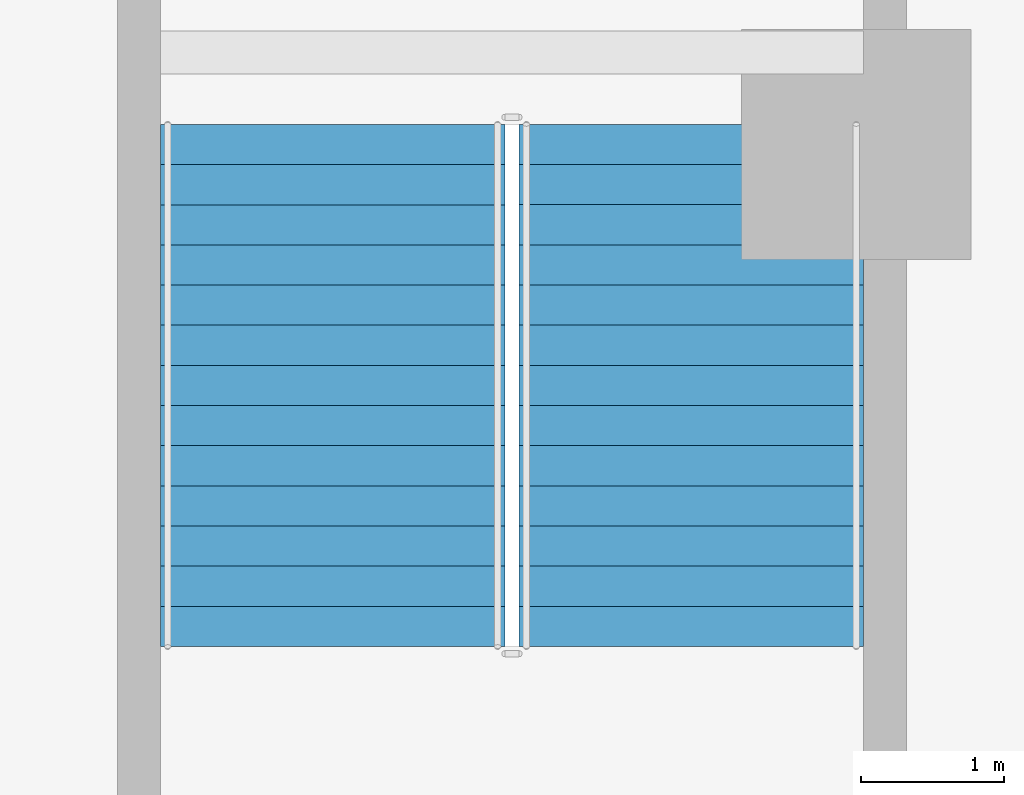
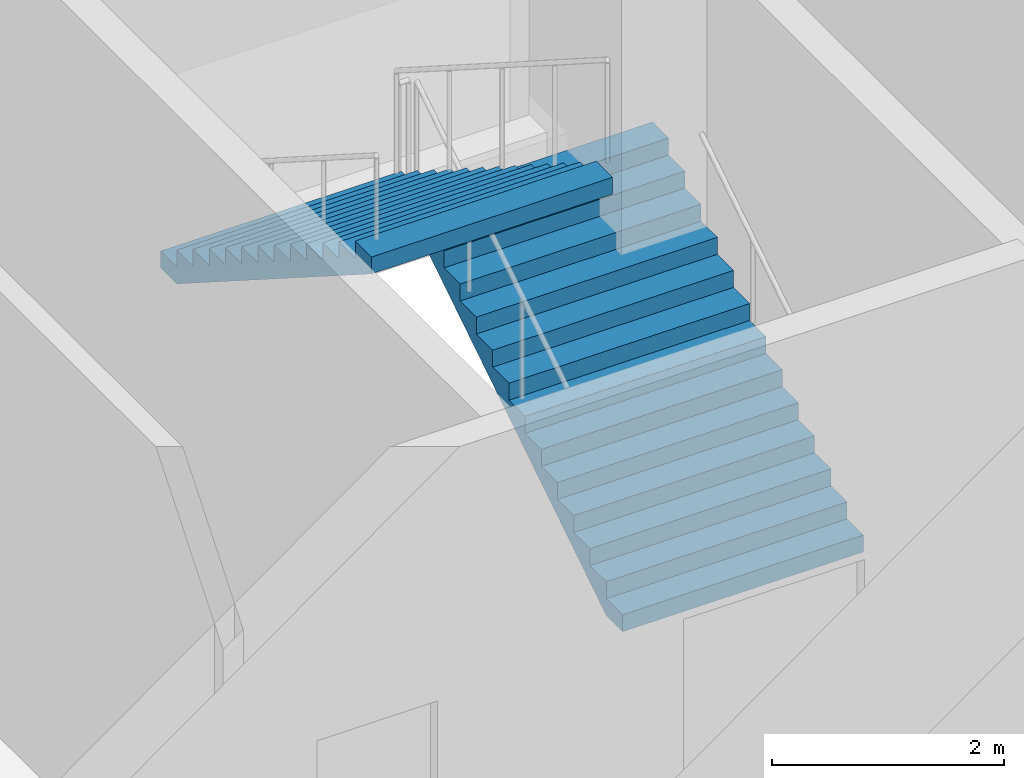
# One storey, part 18 of 35: 2 stair flights, 1 element without a shape of its own.
"""IFC4 building model written with IfcOpenShell, lengths in metres."""

from ifc_helpers import new_model, si_unit, direction, frame, origin, place, context, subcontext, project, spatial, triangles, source, transform, mapped, material, type_object, element, aggregate, save


model = new_model("IFC4")

# Units and contexts
model_context = context("Model", 3, precision=1e-05, world=origin(), true_north=direction((0.0, 1.0)))
body_context = subcontext(model_context, "Body", "Model", "MODEL_VIEW")
ifc_project = project(units=[si_unit("LENGTHUNIT", "METRE"), si_unit("AREAUNIT", "SQUARE_METRE"), si_unit("VOLUMEUNIT", "CUBIC_METRE"), si_unit("PLANEANGLEUNIT", "RADIAN"), si_unit("MASSUNIT", "GRAM", prefix="KILO")], contexts=[model_context])

# Site, building, storey
site_placement = place(None, origin())
site = spatial("IfcSite", under=ifc_project, at=site_placement, CompositionType="ELEMENT")
building_placement = place(site_placement, origin())
building = spatial("IfcBuilding", under=site, at=building_placement, Name="Ogive Portal Towers", CompositionType="ELEMENT")
storey_placement = place(building_placement, frame((0.0, 0.0, 23.5)))
storey = spatial("IfcBuildingStorey", under=building, at=storey_placement, Name="L04", CompositionType="ELEMENT", Elevation=23.5)

# Stair, stair flights
ifc_material = material(Name="Concrete C40/50", Category="concrete")
stair_type = type_object("IfcStairType", Name="INT-STAIR", PredefinedType="HALF_TURN_STAIR", material=ifc_material)
stair_placement = place(storey_placement, origin())
stair = element("IfcStair", 1, at=stair_placement, inside=storey, type_object=stair_type, Name="L04 Exit Stair ST-P2", PredefinedType="HALF_TURN_STAIR")
stair_flight_type = type_object("IfcStairFlightType", Name="INT-FLIGHT", PredefinedType="STRAIGHT", material=ifc_material)
shared_shape = source(origin(), body_context, "Body", "Tessellation", [
    triangles([(0.0, -1.199951171875, 0.0), (0.0, -0.6943359375, 0.0), (0.0, -0.35546875, 0.0), (0.0, -0.14990234375, 0.0), (0.0, -0.04443359375, 0.0), (0.0, -0.005615234375, 0.0), (0.0, 0.0, 0.0), (0.0, 0.005615234375, 0.0), (0.0, 0.04443359375, 0.0), (0.0, 0.14990234375, 0.0), (0.0, 0.35546875, 0.0), (0.0, 0.6943359375, 0.0), (0.0, 1.199951171875, 0.0), (0.0, -1.199951171875, 0.178466796875), (0.0, -0.6943359375, 0.178466796875), (0.0, -0.35546875, 0.178466796875), (0.0, -0.14990234375, 0.178466796875), (0.0, -0.04443359375, 0.178466796875), (0.0, -0.005615234375, 0.178466796875), (0.0, 0.0, 0.178466796875), (0.0, 0.005615234375, 0.178466796875), (0.0, 0.04443359375, 0.178466796875), (0.0, 0.14990234375, 0.178466796875), (0.0, 0.35546875, 0.178466796875), (0.0, 0.6943359375, 0.178466796875), (0.0, 1.199951171875, 0.178466796875), (0.280029296875, -1.199951171875, 0.178466796875), (0.280029296875, -0.6943359375, 0.178466796875), (0.280029296875, -0.35546875, 0.178466796875), (0.280029296875, -0.14990234375, 0.178466796875), (0.280029296875, -0.04443359375, 0.178466796875), (0.280029296875, -0.005615234375, 0.178466796875), (0.280029296875, 0.0, 0.178466796875), (0.280029296875, 0.005615234375, 0.178466796875), (0.280029296875, 0.04443359375, 0.178466796875), (0.280029296875, 0.14990234375, 0.178466796875), (0.280029296875, 0.35546875, 0.178466796875), (0.280029296875, 0.6943359375, 0.178466796875), (0.280029296875, 1.199951171875, 0.178466796875), (0.280029296875, -1.199951171875, 0.357177734375), (0.280029296875, -0.6943359375, 0.357177734375), (0.280029296875, -0.35546875, 0.357177734375), (0.280029296875, -0.14990234375, 0.357177734375), (0.280029296875, -0.04443359375, 0.357177734375), (0.280029296875, -0.005615234375, 0.357177734375), (0.280029296875, 0.0, 0.357177734375), (0.280029296875, 0.005615234375, 0.357177734375), (0.280029296875, 0.04443359375, 0.357177734375), (0.280029296875, 0.14990234375, 0.357177734375), (0.280029296875, 0.35546875, 0.357177734375), (0.280029296875, 0.6943359375, 0.357177734375), (0.280029296875, 1.199951171875, 0.357177734375), (0.56005859375, -1.199951171875, 0.357177734375), (0.56005859375, -0.6943359375, 0.357177734375), (0.56005859375, -0.35546875, 0.357177734375), (0.56005859375, -0.14990234375, 0.357177734375), (0.56005859375, -0.04443359375, 0.357177734375), (0.56005859375, -0.005615234375, 0.357177734375), (0.56005859375, 0.0, 0.357177734375), (0.56005859375, 0.005615234375, 0.357177734375), (0.56005859375, 0.04443359375, 0.357177734375), (0.56005859375, 0.14990234375, 0.357177734375), (0.56005859375, 0.35546875, 0.357177734375), (0.56005859375, 0.6943359375, 0.357177734375), (0.56005859375, 1.199951171875, 0.357177734375), (0.56005859375, -1.199951171875, 0.53564453125), (0.56005859375, -0.6943359375, 0.53564453125), (0.56005859375, -0.35546875, 0.53564453125), (0.56005859375, -0.14990234375, 0.53564453125), (0.56005859375, -0.04443359375, 0.53564453125), (0.56005859375, -0.005615234375, 0.53564453125), (0.56005859375, 0.0, 0.53564453125), (0.56005859375, 0.005615234375, 0.53564453125), (0.56005859375, 0.04443359375, 0.53564453125), (0.56005859375, 0.14990234375, 0.53564453125), (0.56005859375, 0.35546875, 0.53564453125), (0.56005859375, 0.6943359375, 0.53564453125), (0.56005859375, 1.199951171875, 0.53564453125), (0.840087890625, -1.199951171875, 0.53564453125), (0.840087890625, -0.6943359375, 0.53564453125), (0.840087890625, -0.35546875, 0.53564453125), (0.840087890625, -0.14990234375, 0.53564453125), (0.840087890625, -0.04443359375, 0.53564453125), (0.840087890625, -0.005615234375, 0.53564453125), (0.840087890625, 0.0, 0.53564453125), (0.840087890625, 0.005615234375, 0.53564453125), (0.840087890625, 0.04443359375, 0.53564453125), (0.840087890625, 0.14990234375, 0.53564453125), (0.840087890625, 0.35546875, 0.53564453125), (0.840087890625, 0.6943359375, 0.53564453125), (0.840087890625, 1.199951171875, 0.53564453125), (0.840087890625, -1.199951171875, 0.71435546875), (0.840087890625, -0.6943359375, 0.71435546875), (0.840087890625, -0.35546875, 0.71435546875), (0.840087890625, -0.14990234375, 0.71435546875), (0.840087890625, -0.04443359375, 0.71435546875), (0.840087890625, -0.005615234375, 0.71435546875), (0.840087890625, 0.0, 0.71435546875), (0.840087890625, 0.005615234375, 0.71435546875), (0.840087890625, 0.04443359375, 0.71435546875), (0.840087890625, 0.14990234375, 0.71435546875), (0.840087890625, 0.35546875, 0.71435546875), (0.840087890625, 0.6943359375, 0.71435546875), (0.840087890625, 1.199951171875, 0.71435546875), (1.1201171875, -1.199951171875, 0.71435546875), (1.1201171875, -0.6943359375, 0.71435546875), (1.1201171875, -0.35546875, 0.71435546875), (1.1201171875, -0.14990234375, 0.71435546875), (1.1201171875, -0.04443359375, 0.71435546875), (1.1201171875, -0.005615234375, 0.71435546875), (1.1201171875, 0.0, 0.71435546875), (1.1201171875, 0.005615234375, 0.71435546875), (1.1201171875, 0.04443359375, 0.71435546875), (1.1201171875, 0.14990234375, 0.71435546875), (1.1201171875, 0.35546875, 0.71435546875), (1.1201171875, 0.6943359375, 0.71435546875), (1.1201171875, 1.199951171875, 0.71435546875), (1.1201171875, -1.199951171875, 0.892822265625), (1.1201171875, -0.6943359375, 0.892822265625), (1.1201171875, -0.35546875, 0.892822265625), (1.1201171875, -0.14990234375, 0.892822265625), (1.1201171875, -0.04443359375, 0.892822265625), (1.1201171875, -0.005615234375, 0.892822265625), (1.1201171875, 0.0, 0.892822265625), (1.1201171875, 0.005615234375, 0.892822265625), (1.1201171875, 0.04443359375, 0.892822265625), (1.1201171875, 0.14990234375, 0.892822265625), (1.1201171875, 0.35546875, 0.892822265625), (1.1201171875, 0.6943359375, 0.892822265625), (1.1201171875, 1.199951171875, 0.892822265625), (1.39990234375, -1.199951171875, 0.892822265625), (1.39990234375, -0.6943359375, 0.892822265625), (1.39990234375, -0.35546875, 0.892822265625), (1.39990234375, -0.14990234375, 0.892822265625), (1.39990234375, -0.04443359375, 0.892822265625), (1.39990234375, -0.005615234375, 0.892822265625), (1.39990234375, 0.0, 0.892822265625), (1.39990234375, 0.005615234375, 0.892822265625), (1.39990234375, 0.04443359375, 0.892822265625), (1.39990234375, 0.14990234375, 0.892822265625), (1.39990234375, 0.35546875, 0.892822265625), (1.39990234375, 0.6943359375, 0.892822265625), (1.39990234375, 1.199951171875, 0.892822265625), (1.39990234375, -1.199951171875, 1.071533203125), (1.39990234375, -0.6943359375, 1.071533203125), (1.39990234375, -0.35546875, 1.071533203125), (1.39990234375, -0.14990234375, 1.071533203125), (1.39990234375, -0.04443359375, 1.071533203125), (1.39990234375, -0.005615234375, 1.071533203125), (1.39990234375, 0.0, 1.071533203125), (1.39990234375, 0.005615234375, 1.071533203125), (1.39990234375, 0.04443359375, 1.071533203125), (1.39990234375, 0.14990234375, 1.071533203125), (1.39990234375, 0.35546875, 1.071533203125), (1.39990234375, 0.6943359375, 1.071533203125), (1.39990234375, 1.199951171875, 1.071533203125), (1.679931640625, -1.199951171875, 1.071533203125), (1.679931640625, -0.6943359375, 1.071533203125), (1.679931640625, -0.35546875, 1.071533203125), (1.679931640625, -0.14990234375, 1.071533203125), (1.679931640625, -0.04443359375, 1.071533203125), (1.679931640625, -0.005615234375, 1.071533203125), (1.679931640625, 0.0, 1.071533203125), (1.679931640625, 0.005615234375, 1.071533203125), (1.679931640625, 0.04443359375, 1.071533203125), (1.679931640625, 0.14990234375, 1.071533203125), (1.679931640625, 0.35546875, 1.071533203125), (1.679931640625, 0.6943359375, 1.071533203125), (1.679931640625, 1.199951171875, 1.071533203125), (1.679931640625, -1.199951171875, 1.25), (1.679931640625, -0.6943359375, 1.25), (1.679931640625, -0.35546875, 1.25), (1.679931640625, -0.14990234375, 1.25), (1.679931640625, -0.04443359375, 1.25), (1.679931640625, -0.005615234375, 1.25), (1.679931640625, 0.0, 1.25), (1.679931640625, 0.005615234375, 1.25), (1.679931640625, 0.04443359375, 1.25), (1.679931640625, 0.14990234375, 1.25), (1.679931640625, 0.35546875, 1.25), (1.679931640625, 0.6943359375, 1.25), (1.679931640625, 1.199951171875, 1.25), (1.9599609375, -1.199951171875, 1.25), (1.9599609375, -0.6943359375, 1.25), (1.9599609375, -0.35546875, 1.25), (1.9599609375, -0.14990234375, 1.25), (1.9599609375, -0.04443359375, 1.25), (1.9599609375, -0.005615234375, 1.25), (1.9599609375, 0.0, 1.25), (1.9599609375, 0.005615234375, 1.25), (1.9599609375, 0.04443359375, 1.25), (1.9599609375, 0.14990234375, 1.25), (1.9599609375, 0.35546875, 1.25), (1.9599609375, 0.6943359375, 1.25), (1.9599609375, 1.199951171875, 1.25), (1.9599609375, -1.199951171875, 1.428466796875), (1.9599609375, -0.6943359375, 1.428466796875), (1.9599609375, -0.35546875, 1.428466796875), (1.9599609375, -0.14990234375, 1.428466796875), (1.9599609375, -0.04443359375, 1.428466796875), (1.9599609375, -0.005615234375, 1.428466796875), (1.9599609375, 0.0, 1.428466796875), (1.9599609375, 0.005615234375, 1.428466796875), (1.9599609375, 0.04443359375, 1.428466796875), (1.9599609375, 0.14990234375, 1.428466796875), (1.9599609375, 0.35546875, 1.428466796875), (1.9599609375, 0.6943359375, 1.428466796875), (1.9599609375, 1.199951171875, 1.428466796875), (2.239990234375, -1.199951171875, 1.428466796875), (2.239990234375, -0.6943359375, 1.428466796875), (2.239990234375, -0.35546875, 1.428466796875), (2.239990234375, -0.14990234375, 1.428466796875), (2.239990234375, -0.04443359375, 1.428466796875), (2.239990234375, -0.005615234375, 1.428466796875), (2.239990234375, 0.0, 1.428466796875), (2.239990234375, 0.005615234375, 1.428466796875), (2.239990234375, 0.04443359375, 1.428466796875), (2.239990234375, 0.14990234375, 1.428466796875), (2.239990234375, 0.35546875, 1.428466796875), (2.239990234375, 0.6943359375, 1.428466796875), (2.239990234375, 1.199951171875, 1.428466796875), (2.239990234375, -1.199951171875, 1.607177734375), (2.239990234375, -0.6943359375, 1.607177734375), (2.239990234375, -0.35546875, 1.607177734375), (2.239990234375, -0.14990234375, 1.607177734375), (2.239990234375, -0.04443359375, 1.607177734375), (2.239990234375, -0.005615234375, 1.607177734375), (2.239990234375, 0.0, 1.607177734375), (2.239990234375, 0.005615234375, 1.607177734375), (2.239990234375, 0.04443359375, 1.607177734375), (2.239990234375, 0.14990234375, 1.607177734375), (2.239990234375, 0.35546875, 1.607177734375), (2.239990234375, 0.6943359375, 1.607177734375), (2.239990234375, 1.199951171875, 1.607177734375), (2.52001953125, -1.199951171875, 1.607177734375), (2.52001953125, -0.6943359375, 1.607177734375), (2.52001953125, -0.35546875, 1.607177734375), (2.52001953125, -0.14990234375, 1.607177734375), (2.52001953125, -0.04443359375, 1.607177734375), (2.52001953125, -0.005615234375, 1.607177734375), (2.52001953125, 0.0, 1.607177734375), (2.52001953125, 0.005615234375, 1.607177734375), (2.52001953125, 0.04443359375, 1.607177734375), (2.52001953125, 0.14990234375, 1.607177734375), (2.52001953125, 0.35546875, 1.607177734375), (2.52001953125, 0.6943359375, 1.607177734375), (2.52001953125, 1.199951171875, 1.607177734375), (2.52001953125, -1.199951171875, 1.78564453125), (2.52001953125, -0.6943359375, 1.78564453125), (2.52001953125, -0.35546875, 1.78564453125), (2.52001953125, -0.14990234375, 1.78564453125), (2.52001953125, -0.04443359375, 1.78564453125), (2.52001953125, -0.005615234375, 1.78564453125), (2.52001953125, 0.0, 1.78564453125), (2.52001953125, 0.005615234375, 1.78564453125), (2.52001953125, 0.04443359375, 1.78564453125), (2.52001953125, 0.14990234375, 1.78564453125), (2.52001953125, 0.35546875, 1.78564453125), (2.52001953125, 0.6943359375, 1.78564453125), (2.52001953125, 1.199951171875, 1.78564453125), (2.800048828125, -1.199951171875, 1.78564453125), (2.800048828125, -0.6943359375, 1.78564453125), (2.800048828125, -0.35546875, 1.78564453125), (2.800048828125, -0.14990234375, 1.78564453125), (2.800048828125, -0.04443359375, 1.78564453125), (2.800048828125, -0.005615234375, 1.78564453125), (2.800048828125, 0.0, 1.78564453125), (2.800048828125, 0.005615234375, 1.78564453125), (2.800048828125, 0.04443359375, 1.78564453125), (2.800048828125, 0.14990234375, 1.78564453125), (2.800048828125, 0.35546875, 1.78564453125), (2.800048828125, 0.6943359375, 1.78564453125), (2.800048828125, 1.199951171875, 1.78564453125), (2.800048828125, -1.199951171875, 1.96435546875), (2.800048828125, -0.6943359375, 1.96435546875), (2.800048828125, -0.35546875, 1.96435546875), (2.800048828125, -0.14990234375, 1.96435546875), (2.800048828125, -0.04443359375, 1.96435546875), (2.800048828125, -0.005615234375, 1.96435546875), (2.800048828125, 0.0, 1.96435546875), (2.800048828125, 0.005615234375, 1.96435546875), (2.800048828125, 0.04443359375, 1.96435546875), (2.800048828125, 0.14990234375, 1.96435546875), (2.800048828125, 0.35546875, 1.96435546875), (2.800048828125, 0.6943359375, 1.96435546875), (2.800048828125, 1.199951171875, 1.96435546875), (3.080078125, -1.199951171875, 1.96435546875), (3.080078125, -0.6943359375, 1.96435546875), (3.080078125, -0.35546875, 1.96435546875), (3.080078125, -0.14990234375, 1.96435546875), (3.080078125, -0.04443359375, 1.96435546875), (3.080078125, -0.005615234375, 1.96435546875), (3.080078125, 0.0, 1.96435546875), (3.080078125, 0.005615234375, 1.96435546875), (3.080078125, 0.04443359375, 1.96435546875), (3.080078125, 0.14990234375, 1.96435546875), (3.080078125, 0.35546875, 1.96435546875), (3.080078125, 0.6943359375, 1.96435546875), (3.080078125, 1.199951171875, 1.96435546875), (3.080078125, -1.199951171875, 2.142822265625), (3.080078125, -0.6943359375, 2.142822265625), (3.080078125, -0.35546875, 2.142822265625), (3.080078125, -0.14990234375, 2.142822265625), (3.080078125, -0.04443359375, 2.142822265625), (3.080078125, -0.005615234375, 2.142822265625), (3.080078125, 0.0, 2.142822265625), (3.080078125, 0.005615234375, 2.142822265625), (3.080078125, 0.04443359375, 2.142822265625), (3.080078125, 0.14990234375, 2.142822265625), (3.080078125, 0.35546875, 2.142822265625), (3.080078125, 0.6943359375, 2.142822265625), (3.080078125, 1.199951171875, 2.142822265625), (3.360107421875, -1.199951171875, 2.142822265625), (3.360107421875, -0.6943359375, 2.142822265625), (3.360107421875, -0.35546875, 2.142822265625), (3.360107421875, -0.14990234375, 2.142822265625), (3.360107421875, -0.04443359375, 2.142822265625), (3.360107421875, -0.005615234375, 2.142822265625), (3.360107421875, 0.0, 2.142822265625), (3.360107421875, 0.005615234375, 2.142822265625), (3.360107421875, 0.04443359375, 2.142822265625), (3.360107421875, 0.14990234375, 2.142822265625), (3.360107421875, 0.35546875, 2.142822265625), (3.360107421875, 0.6943359375, 2.142822265625), (3.360107421875, 1.199951171875, 2.142822265625), (3.360107421875, -1.199951171875, 2.321533203125), (3.360107421875, -0.6943359375, 2.321533203125), (3.360107421875, -0.35546875, 2.321533203125), (3.360107421875, -0.14990234375, 2.321533203125), (3.360107421875, -0.04443359375, 2.321533203125), (3.360107421875, -0.005615234375, 2.321533203125), (3.360107421875, 0.0, 2.321533203125), (3.360107421875, 0.005615234375, 2.321533203125), (3.360107421875, 0.04443359375, 2.321533203125), (3.360107421875, 0.14990234375, 2.321533203125), (3.360107421875, 0.35546875, 2.321533203125), (3.360107421875, 0.6943359375, 2.321533203125), (3.360107421875, 1.199951171875, 2.321533203125), (3.639892578125, -1.199951171875, 2.321533203125), (3.639892578125, -0.6943359375, 2.321533203125), (3.639892578125, -0.35546875, 2.321533203125), (3.639892578125, -0.14990234375, 2.321533203125), (3.639892578125, -0.04443359375, 2.321533203125), (3.639892578125, -0.005615234375, 2.321533203125), (3.639892578125, 0.0, 2.321533203125), (3.639892578125, 0.005615234375, 2.321533203125), (3.639892578125, 0.04443359375, 2.321533203125), (3.639892578125, 0.14990234375, 2.321533203125), (3.639892578125, 0.35546875, 2.321533203125), (3.639892578125, 0.6943359375, 2.321533203125), (3.639892578125, 1.199951171875, 2.321533203125), (3.639892578125, -1.199951171875, 2.1435546875), (3.639892578125, -0.6943359375, 2.1435546875), (3.639892578125, -0.35546875, 2.1435546875), (3.639892578125, -0.14990234375, 2.1435546875), (3.639892578125, -0.04443359375, 2.1435546875), (3.639892578125, -0.005615234375, 2.1435546875), (3.639892578125, 0.0, 2.1435546875), (3.639892578125, 0.005615234375, 2.1435546875), (3.639892578125, 0.04443359375, 2.1435546875), (3.639892578125, 0.14990234375, 2.1435546875), (3.639892578125, 0.35546875, 2.1435546875), (3.639892578125, 0.6943359375, 2.1435546875), (3.639892578125, 1.199951171875, 2.1435546875), (0.27880859375, -1.199951171875, 0.0), (0.27880859375, -0.6943359375, 0.0), (0.27880859375, -0.35546875, 0.0), (0.27880859375, -0.14990234375, 0.0), (0.27880859375, -0.04443359375, 0.0), (0.27880859375, -0.005615234375, 0.0), (0.27880859375, 0.0, 0.0), (0.27880859375, 0.005615234375, 0.0), (0.27880859375, 0.04443359375, 0.0), (0.27880859375, 0.14990234375, 0.0), (0.27880859375, 0.35546875, 0.0), (0.27880859375, 0.6943359375, 0.0), (0.27880859375, 1.199951171875, 0.0)], [[1, 14, 15], [1, 15, 2], [2, 15, 16], [2, 16, 3], [3, 16, 17], [3, 17, 4], [4, 17, 18], [4, 18, 5], [5, 18, 19], [5, 19, 6], [6, 19, 20], [6, 20, 7], [7, 20, 21], [7, 21, 8], [8, 21, 22], [8, 22, 9], [9, 22, 23], [9, 23, 10], [10, 23, 24], [10, 24, 11], [11, 24, 25], [11, 25, 12], [12, 25, 26], [12, 26, 13], [14, 27, 28], [14, 28, 15], [15, 28, 29], [15, 29, 16], [16, 29, 30], [16, 30, 17], [17, 30, 31], [17, 31, 18], [18, 31, 32], [18, 32, 19], [19, 32, 33], [19, 33, 20], [20, 33, 34], [20, 34, 21], [21, 34, 35], [21, 35, 22], [22, 35, 36], [22, 36, 23], [23, 36, 37], [23, 37, 24], [24, 37, 38], [24, 38, 25], [25, 38, 39], [25, 39, 26], [27, 40, 41], [27, 41, 28], [28, 41, 42], [28, 42, 29], [29, 42, 43], [29, 43, 30], [30, 43, 44], [30, 44, 31], [31, 44, 45], [31, 45, 32], [32, 45, 46], [32, 46, 33], [33, 46, 47], [33, 47, 34], [34, 47, 48], [34, 48, 35], [35, 48, 49], [35, 49, 36], [36, 49, 50], [36, 50, 37], [37, 50, 51], [37, 51, 38], [38, 51, 52], [38, 52, 39], [40, 53, 54], [40, 54, 41], [41, 54, 55], [41, 55, 42], [42, 55, 56], [42, 56, 43], [43, 56, 57], [43, 57, 44], [44, 57, 58], [44, 58, 45], [45, 58, 59], [45, 59, 46], [46, 59, 60], [46, 60, 47], [47, 60, 61], [47, 61, 48], [48, 61, 62], [48, 62, 49], [49, 62, 63], [49, 63, 50], [50, 63, 64], [50, 64, 51], [51, 64, 65], [51, 65, 52], [53, 66, 67], [53, 67, 54], [54, 67, 68], [54, 68, 55], [55, 68, 69], [55, 69, 56], [56, 69, 70], [56, 70, 57], [57, 70, 71], [57, 71, 58], [58, 71, 72], [58, 72, 59], [59, 72, 73], [59, 73, 60], [60, 73, 74], [60, 74, 61], [61, 74, 75], [61, 75, 62], [62, 75, 76], [62, 76, 63], [63, 76, 77], [63, 77, 64], [64, 77, 78], [64, 78, 65], [66, 79, 80], [66, 80, 67], [67, 80, 81], [67, 81, 68], [68, 81, 82], [68, 82, 69], [69, 82, 83], [69, 83, 70], [70, 83, 84], [70, 84, 71], [71, 84, 85], [71, 85, 72], [72, 85, 86], [72, 86, 73], [73, 86, 87], [73, 87, 74], [74, 87, 88], [74, 88, 75], [75, 88, 89], [75, 89, 76], [76, 89, 90], [76, 90, 77], [77, 90, 91], [77, 91, 78], [79, 92, 93], [79, 93, 80], [80, 93, 94], [80, 94, 81], [81, 94, 95], [81, 95, 82], [82, 95, 96], [82, 96, 83], [83, 96, 97], [83, 97, 84], [84, 97, 98], [84, 98, 85], [85, 98, 99], [85, 99, 86], [86, 99, 100], [86, 100, 87], [87, 100, 101], [87, 101, 88], [88, 101, 102], [88, 102, 89], [89, 102, 103], [89, 103, 90], [90, 103, 104], [90, 104, 91], [92, 105, 106], [92, 106, 93], [93, 106, 107], [93, 107, 94], [94, 107, 108], [94, 108, 95], [95, 108, 109], [95, 109, 96], [96, 109, 110], [96, 110, 97], [97, 110, 111], [97, 111, 98], [98, 111, 112], [98, 112, 99], [99, 112, 113], [99, 113, 100], [100, 113, 114], [100, 114, 101], [101, 114, 115], [101, 115, 102], [102, 115, 116], [102, 116, 103], [103, 116, 117], [103, 117, 104], [105, 118, 119], [105, 119, 106], [106, 119, 120], [106, 120, 107], [107, 120, 121], [107, 121, 108], [108, 121, 122], [108, 122, 109], [109, 122, 123], [109, 123, 110], [110, 123, 124], [110, 124, 111], [111, 124, 125], [111, 125, 112], [112, 125, 126], [112, 126, 113], [113, 126, 127], [113, 127, 114], [114, 127, 128], [114, 128, 115], [115, 128, 129], [115, 129, 116], [116, 129, 130], [116, 130, 117], [118, 131, 132], [118, 132, 119], [119, 132, 133], [119, 133, 120], [120, 133, 134], [120, 134, 121], [121, 134, 135], [121, 135, 122], [122, 135, 136], [122, 136, 123], [123, 136, 137], [123, 137, 124], [124, 137, 138], [124, 138, 125], [125, 138, 139], [125, 139, 126], [126, 139, 140], [126, 140, 127], [127, 140, 141], [127, 141, 128], [128, 141, 142], [128, 142, 129], [129, 142, 143], [129, 143, 130], [131, 144, 145], [131, 145, 132], [132, 145, 146], [132, 146, 133], [133, 146, 147], [133, 147, 134], [134, 147, 148], [134, 148, 135], [135, 148, 149], [135, 149, 136], [136, 149, 150], [136, 150, 137], [137, 150, 151], [137, 151, 138], [138, 151, 152], [138, 152, 139], [139, 152, 153], [139, 153, 140], [140, 153, 154], [140, 154, 141], [141, 154, 155], [141, 155, 142], [142, 155, 156], [142, 156, 143], [144, 157, 158], [144, 158, 145], [145, 158, 159], [145, 159, 146], [146, 159, 160], [146, 160, 147], [147, 160, 161], [147, 161, 148], [148, 161, 162], [148, 162, 149], [149, 162, 163], [149, 163, 150], [150, 163, 164], [150, 164, 151], [151, 164, 165], [151, 165, 152], [152, 165, 166], [152, 166, 153], [153, 166, 167], [153, 167, 154], [154, 167, 168], [154, 168, 155], [155, 168, 169], [155, 169, 156], [157, 170, 171], [157, 171, 158], [158, 171, 172], [158, 172, 159], [159, 172, 173], [159, 173, 160], [160, 173, 174], [160, 174, 161], [161, 174, 175], [161, 175, 162], [162, 175, 176], [162, 176, 163], [163, 176, 177], [163, 177, 164], [164, 177, 178], [164, 178, 165], [165, 178, 179], [165, 179, 166], [166, 179, 180], [166, 180, 167], [167, 180, 181], [167, 181, 168], [168, 181, 182], [168, 182, 169], [170, 183, 184], [170, 184, 171], [171, 184, 185], [171, 185, 172], [172, 185, 186], [172, 186, 173], [173, 186, 187], [173, 187, 174], [174, 187, 188], [174, 188, 175], [175, 188, 189], [175, 189, 176], [176, 189, 190], [176, 190, 177], [177, 190, 191], [177, 191, 178], [178, 191, 192], [178, 192, 179], [179, 192, 193], [179, 193, 180], [180, 193, 194], [180, 194, 181], [181, 194, 195], [181, 195, 182], [183, 196, 197], [183, 197, 184], [184, 197, 198], [184, 198, 185], [185, 198, 199], [185, 199, 186], [186, 199, 200], [186, 200, 187], [187, 200, 201], [187, 201, 188], [188, 201, 202], [188, 202, 189], [189, 202, 203], [189, 203, 190], [190, 203, 204], [190, 204, 191], [191, 204, 205], [191, 205, 192], [192, 205, 206], [192, 206, 193], [193, 206, 207], [193, 207, 194], [194, 207, 208], [194, 208, 195], [196, 209, 210], [196, 210, 197], [197, 210, 211], [197, 211, 198], [198, 211, 212], [198, 212, 199], [199, 212, 213], [199, 213, 200], [200, 213, 214], [200, 214, 201], [201, 214, 215], [201, 215, 202], [202, 215, 216], [202, 216, 203], [203, 216, 217], [203, 217, 204], [204, 217, 218], [204, 218, 205], [205, 218, 219], [205, 219, 206], [206, 219, 220], [206, 220, 207], [207, 220, 221], [207, 221, 208], [209, 222, 223], [209, 223, 210], [210, 223, 224], [210, 224, 211], [211, 224, 225], [211, 225, 212], [212, 225, 226], [212, 226, 213], [213, 226, 227], [213, 227, 214], [214, 227, 228], [214, 228, 215], [215, 228, 229], [215, 229, 216], [216, 229, 230], [216, 230, 217], [217, 230, 231], [217, 231, 218], [218, 231, 232], [218, 232, 219], [219, 232, 233], [219, 233, 220], [220, 233, 234], [220, 234, 221], [222, 235, 236], [222, 236, 223], [223, 236, 237], [223, 237, 224], [224, 237, 238], [224, 238, 225], [225, 238, 239], [225, 239, 226], [226, 239, 240], [226, 240, 227], [227, 240, 241], [227, 241, 228], [228, 241, 242], [228, 242, 229], [229, 242, 243], [229, 243, 230], [230, 243, 244], [230, 244, 231], [231, 244, 245], [231, 245, 232], [232, 245, 246], [232, 246, 233], [233, 246, 247], [233, 247, 234], [235, 248, 249], [235, 249, 236], [236, 249, 250], [236, 250, 237], [237, 250, 251], [237, 251, 238], [238, 251, 252], [238, 252, 239], [239, 252, 253], [239, 253, 240], [240, 253, 254], [240, 254, 241], [241, 254, 255], [241, 255, 242], [242, 255, 256], [242, 256, 243], [243, 256, 257], [243, 257, 244], [244, 257, 258], [244, 258, 245], [245, 258, 259], [245, 259, 246], [246, 259, 260], [246, 260, 247], [248, 261, 262], [248, 262, 249], [249, 262, 263], [249, 263, 250], [250, 263, 264], [250, 264, 251], [251, 264, 265], [251, 265, 252], [252, 265, 266], [252, 266, 253], [253, 266, 267], [253, 267, 254], [254, 267, 268], [254, 268, 255], [255, 268, 269], [255, 269, 256], [256, 269, 270], [256, 270, 257], [257, 270, 271], [257, 271, 258], [258, 271, 272], [258, 272, 259], [259, 272, 273], [259, 273, 260], [261, 274, 275], [261, 275, 262], [262, 275, 276], [262, 276, 263], [263, 276, 277], [263, 277, 264], [264, 277, 278], [264, 278, 265], [265, 278, 279], [265, 279, 266], [266, 279, 280], [266, 280, 267], [267, 280, 281], [267, 281, 268], [268, 281, 282], [268, 282, 269], [269, 282, 283], [269, 283, 270], [270, 283, 284], [270, 284, 271], [271, 284, 285], [271, 285, 272], [272, 285, 286], [272, 286, 273], [274, 287, 288], [274, 288, 275], [275, 288, 289], [275, 289, 276], [276, 289, 290], [276, 290, 277], [277, 290, 291], [277, 291, 278], [278, 291, 292], [278, 292, 279], [279, 292, 293], [279, 293, 280], [280, 293, 294], [280, 294, 281], [281, 294, 295], [281, 295, 282], [282, 295, 296], [282, 296, 283], [283, 296, 297], [283, 297, 284], [284, 297, 298], [284, 298, 285], [285, 298, 299], [285, 299, 286], [287, 300, 301], [287, 301, 288], [288, 301, 302], [288, 302, 289], [289, 302, 303], [289, 303, 290], [290, 303, 304], [290, 304, 291], [291, 304, 305], [291, 305, 292], [292, 305, 306], [292, 306, 293], [293, 306, 307], [293, 307, 294], [294, 307, 308], [294, 308, 295], [295, 308, 309], [295, 309, 296], [296, 309, 310], [296, 310, 297], [297, 310, 311], [297, 311, 298], [298, 311, 312], [298, 312, 299], [300, 313, 314], [300, 314, 301], [301, 314, 315], [301, 315, 302], [302, 315, 316], [302, 316, 303], [303, 316, 317], [303, 317, 304], [304, 317, 318], [304, 318, 305], [305, 318, 319], [305, 319, 306], [306, 319, 320], [306, 320, 307], [307, 320, 321], [307, 321, 308], [308, 321, 322], [308, 322, 309], [309, 322, 323], [309, 323, 310], [310, 323, 324], [310, 324, 311], [311, 324, 325], [311, 325, 312], [313, 326, 327], [313, 327, 314], [314, 327, 328], [314, 328, 315], [315, 328, 329], [315, 329, 316], [316, 329, 330], [316, 330, 317], [317, 330, 331], [317, 331, 318], [318, 331, 332], [318, 332, 319], [319, 332, 333], [319, 333, 320], [320, 333, 334], [320, 334, 321], [321, 334, 335], [321, 335, 322], [322, 335, 336], [322, 336, 323], [323, 336, 337], [323, 337, 324], [324, 337, 338], [324, 338, 325], [326, 339, 340], [326, 340, 327], [327, 340, 341], [327, 341, 328], [328, 341, 342], [328, 342, 329], [329, 342, 343], [329, 343, 330], [330, 343, 344], [330, 344, 331], [331, 344, 345], [331, 345, 332], [332, 345, 346], [332, 346, 333], [333, 346, 347], [333, 347, 334], [334, 347, 348], [334, 348, 335], [335, 348, 349], [335, 349, 336], [336, 349, 350], [336, 350, 337], [337, 350, 351], [337, 351, 338], [339, 352, 353], [339, 353, 340], [340, 353, 354], [340, 354, 341], [341, 354, 355], [341, 355, 342], [342, 355, 356], [342, 356, 343], [343, 356, 357], [343, 357, 344], [344, 357, 358], [344, 358, 345], [345, 358, 359], [345, 359, 346], [346, 359, 360], [346, 360, 347], [347, 360, 361], [347, 361, 348], [348, 361, 362], [348, 362, 349], [349, 362, 363], [349, 363, 350], [350, 363, 364], [350, 364, 351], [352, 365, 366], [352, 366, 353], [353, 366, 367], [353, 367, 354], [354, 367, 368], [354, 368, 355], [355, 368, 369], [355, 369, 356], [356, 369, 370], [356, 370, 357], [357, 370, 371], [357, 371, 358], [358, 371, 372], [358, 372, 359], [359, 372, 373], [359, 373, 360], [360, 373, 374], [360, 374, 361], [361, 374, 375], [361, 375, 362], [362, 375, 376], [362, 376, 363], [363, 376, 377], [363, 377, 364], [365, 1, 2], [365, 2, 366], [366, 2, 3], [366, 3, 367], [367, 3, 4], [367, 4, 368], [368, 4, 5], [368, 5, 369], [369, 5, 6], [369, 6, 370], [370, 6, 7], [370, 7, 371], [371, 7, 8], [371, 8, 372], [372, 8, 9], [372, 9, 373], [373, 9, 10], [373, 10, 374], [374, 10, 11], [374, 11, 375], [375, 11, 12], [375, 12, 376], [376, 12, 13], [376, 13, 377], [1, 365, 352], [13, 364, 377], [352, 339, 326], [364, 338, 351], [352, 326, 313], [364, 325, 338], [313, 300, 287], [325, 299, 312], [352, 313, 287], [364, 299, 325], [287, 274, 261], [299, 273, 286], [352, 287, 261], [364, 273, 299], [261, 248, 235], [273, 247, 260], [352, 261, 235], [364, 247, 273], [235, 222, 209], [247, 221, 234], [352, 235, 209], [364, 221, 247], [209, 196, 183], [221, 195, 208], [352, 209, 183], [364, 195, 221], [183, 170, 157], [195, 169, 182], [352, 183, 157], [364, 169, 195], [157, 144, 131], [169, 143, 156], [352, 157, 131], [364, 143, 169], [131, 118, 105], [143, 117, 130], [352, 131, 105], [364, 117, 143], [105, 92, 79], [117, 91, 104], [352, 105, 79], [364, 91, 117], [79, 66, 53], [91, 65, 78], [352, 79, 53], [364, 65, 91], [53, 40, 27], [65, 39, 52], [352, 53, 27], [364, 39, 65], [1, 352, 27], [13, 39, 364], [27, 14, 1], [39, 13, 26]], closed=True),
])
stair_flight_1_placement = place(storey_placement, frame((39.35009765625, 45.0, 0.0), z_axis=(0.0, 0.0, 1.0), x_axis=(0.0, 1.0, 0.0)))
stair_flight_1 = element("IfcStairFlight", 2, at=stair_flight_1_placement, type_object=stair_flight_type, Name="ST-P2 flight 1", NumberOfRisers=14, NumberOfTreads=13, PredefinedType="STRAIGHT", RiserHeight=0.178571429, TreadLength=0.28, context=body_context, shape_type="MappedRepresentation", body=[
    mapped(shared_shape, transform((0.0, 0.0, 0.0), scale=1.0)),
])
stair_flight_2_placement = place(storey_placement, frame((36.85009765625, 48.639892578125, 2.5), z_axis=(0.0, 0.0, 1.0), x_axis=(0.0, -1.0, 0.0)))
stair_flight_2 = element("IfcStairFlight", 3, at=stair_flight_2_placement, type_object=stair_flight_type, Name="ST-P2 flight 2", NumberOfRisers=14, NumberOfTreads=13, PredefinedType="STRAIGHT", RiserHeight=0.178571429, TreadLength=0.28, context=body_context, shape_type="MappedRepresentation", body=[
    mapped(shared_shape, transform((0.0, 0.0, 0.0), scale=1.0)),
])
aggregate(stair, [stair_flight_1, stair_flight_2])

save(model, "model.ifc")
